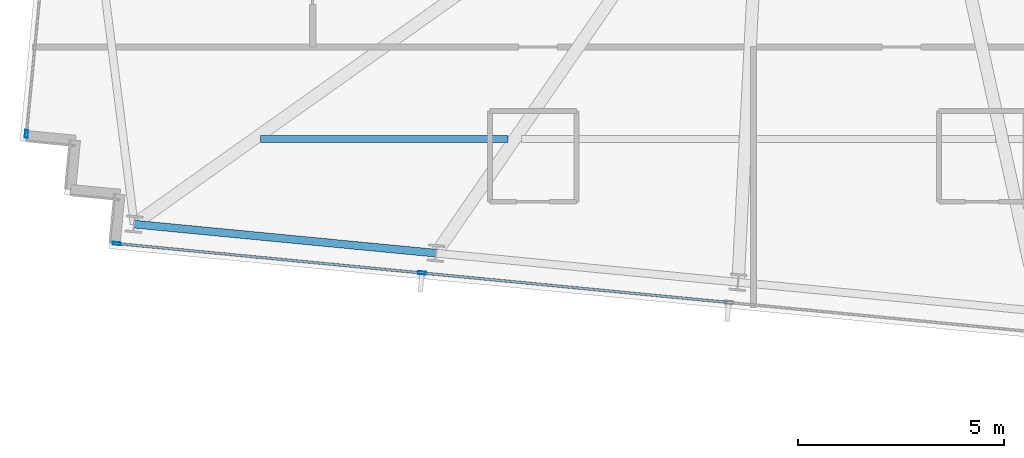
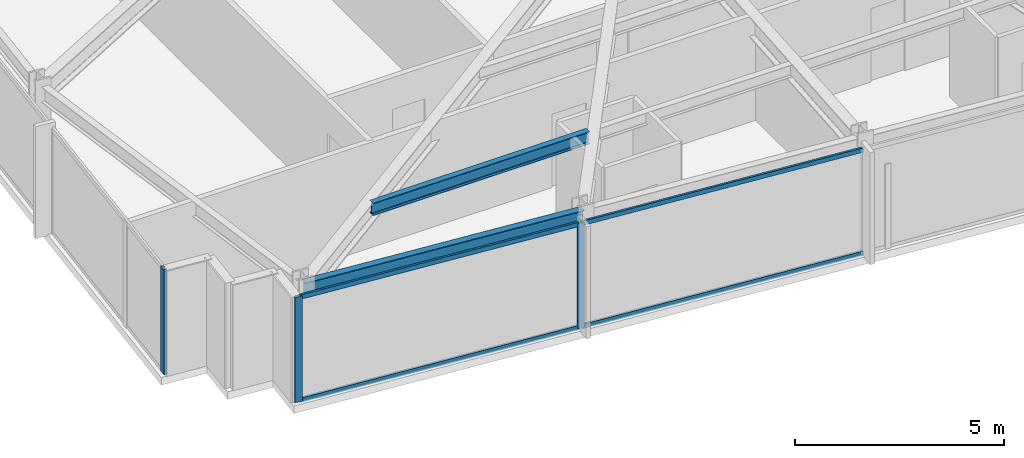
# One storey, part 2 of 36: 7 members, 2 beams, 2 elements without a shape of their own.
"""IFC4 building model written with IfcOpenShell, lengths in metres."""

from ifc_helpers import new_model, si_unit, direction, frame, origin, origin_2d, place, context, subcontext, project, spatial, hollow_rectangle, i_section, extrude, material, material_profile, profile_set, type_object, element, aggregate, save


model = new_model("IFC4")

# Units and contexts
model_context = context("Model", 3, precision=1e-05, world=origin(), true_north=direction((0.0, 1.0)))
body_context = subcontext(model_context, "Body", "Model", "MODEL_VIEW")
ifc_project = project(units=[si_unit("LENGTHUNIT", "METRE"), si_unit("AREAUNIT", "SQUARE_METRE"), si_unit("VOLUMEUNIT", "CUBIC_METRE"), si_unit("PLANEANGLEUNIT", "RADIAN"), si_unit("MASSUNIT", "GRAM", prefix="KILO")], contexts=[model_context])

# Site, building, storey
site_placement = place(None, origin())
site = spatial("IfcSite", under=ifc_project, at=site_placement, CompositionType="ELEMENT")
building_placement = place(site_placement, origin())
building = spatial("IfcBuilding", under=site, at=building_placement, Name="Yelkora Congress Tower", CompositionType="ELEMENT")
storey_placement = place(building_placement, frame((0.0, 0.0, 152.300048828125)))
storey = spatial("IfcBuildingStorey", under=building, at=storey_placement, Name="L41", CompositionType="ELEMENT", Elevation=152.300048828125)

# Beams
ifc_material_1 = material(Name="Steel S355J2", Category="steel")
ifc_material_profile_1 = material_profile(ifc_material_1, i_section(OverallWidth=0.169921875, OverallDepth=0.360107421875, WebThickness=0.008056640625, FlangeThickness=0.0126953125, FilletRadius=0.01806640625, at=origin_2d()), Name="IPE 360")
ifc_profile_set_1 = profile_set([ifc_material_profile_1], Name="Steel S355J2")
beam_type_1 = type_object("IfcBeamType", Name="BM-JOIST-IPE360", PredefinedType="JOIST", material=ifc_profile_set_1)
beam_1_placement = place(storey_placement, frame((6.98779296875, 16.421142578125, 2.89990234375), z_axis=(1.0, 0.0, 0.0), x_axis=(0.0, 1.0, 0.0)))
element("IfcBeam", 1, at=beam_1_placement, inside=storey, type_object=beam_type_1, Name="L41 Composite Floor Joist 5", PredefinedType="JOIST", context=body_context, shape_type="SweptSolid", body=[
    extrude(i_section(OverallWidth=0.169921875, OverallDepth=0.360107421875, WebThickness=0.008056640625, FlangeThickness=0.0126953125, FilletRadius=0.01806640625, at=origin_2d()), origin(), (0.0, 0.0, 1.0), 6.002685546875),
])
ifc_material_profile_2 = material_profile(ifc_material_1, i_section(OverallWidth=0.18994140625, OverallDepth=0.449951171875, WebThickness=0.009521484375, FlangeThickness=0.0146484375, FilletRadius=0.02099609375, at=origin_2d()), Name="IPE 450")
ifc_profile_set_2 = profile_set([ifc_material_profile_2], Name="Steel S355J2")
beam_type_2 = type_object("IfcBeamType", Name="BM-SPAN-IPE450", PredefinedType="SPANDREL", material=ifc_profile_set_2)
beam_2_placement = place(storey_placement, frame((3.919189453125, 14.357421875, 2.85498046875), z_axis=(0.995393938538, -0.095869218844, 0.0), x_axis=(0.095869218844, 0.995393938538, 0.0)))
element("IfcBeam", 2, at=beam_2_placement, inside=storey, type_object=beam_type_2, Name="L41 Perimeter Beam 2", PredefinedType="SPANDREL", context=body_context, shape_type="SweptSolid", body=[
    extrude(i_section(OverallWidth=0.18994140625, OverallDepth=0.449951171875, WebThickness=0.009521484375, FlangeThickness=0.0146484375, FilletRadius=0.02099609375, at=origin_2d()), origin(), (0.0, 0.0, 1.0), 7.357177734375),
])

# Curtain wall, member
ifc_material_2 = material(Name="Anodised aluminium and insulated glass", Category="aluminium")
curtain_wall_type = type_object("IfcCurtainWallType", Name="CW-SYS-B3", PredefinedType="NOTDEFINED", material=ifc_material_2)
curtain_wall_1_placement = place(storey_placement, origin())
curtain_wall_1 = element("IfcCurtainWall", 3, at=curtain_wall_1_placement, inside=storey, type_object=curtain_wall_type, Name="L41 Unitised Curtain Wall 5", PredefinedType="NOTDEFINED")
ifc_material_3 = material(Name="Anodised aluminium 6063-T6", Category="aluminium")
ifc_material_profile_3 = material_profile(ifc_material_3, hollow_rectangle(XDim=0.070068359375, YDim=0.18994140625, WallThickness=0.00390625, at=origin_2d()), Name="ALU 70x190x4")
ifc_profile_set_3 = profile_set([ifc_material_profile_3], Name="Anodised aluminium 6063-T6")
member_type_1 = type_object("IfcMemberType", Name="MEM-ML-B3", PredefinedType="MULLION", material=ifc_profile_set_3)
member_1_placement = place(storey_placement, frame((1.306640625, 16.542724609375, 0.0), z_axis=(0.0, 0.0, 1.0), x_axis=(-0.995396242473, 0.095845294465, 0.0)))
member_1 = element("IfcMember", 4, at=member_1_placement, type_object=member_type_1, Name="CW-B3 mullion 1", PredefinedType="MULLION", context=body_context, shape_type="SweptSolid", body=[
    extrude(hollow_rectangle(XDim=0.070068359375, YDim=0.18994140625, WallThickness=0.00390625, at=origin_2d()), origin(), (0.0, 0.0, 1.0), 3.079833984375),
])
aggregate(curtain_wall_1, [member_1])

# Curtain wall, members
curtain_wall_2_placement = place(storey_placement, origin())
curtain_wall_2 = element("IfcCurtainWall", 5, at=curtain_wall_2_placement, inside=storey, type_object=curtain_wall_type, Name="L41 Unitised Curtain Wall 20", PredefinedType="NOTDEFINED")
member_2_placement = place(storey_placement, frame((10.902099609375, 13.172607421875, 0.0), z_axis=(0.0, 0.0, 1.0), x_axis=(-0.095844680679, -0.995396301573, 0.0)))
member_2 = element("IfcMember", 6, at=member_2_placement, type_object=member_type_1, Name="CW-B3 mullion 7", PredefinedType="MULLION", context=body_context, shape_type="SweptSolid", body=[
    extrude(hollow_rectangle(XDim=0.070068359375, YDim=0.18994140625, WallThickness=0.00390625, at=origin_2d()), origin(), (0.0, 0.0, 1.0), 3.079833984375),
])
member_3_placement = place(storey_placement, frame((3.4970703125, 13.885498046875, 0.0), z_axis=(0.0, 0.0, 1.0), x_axis=(-0.095844680679, -0.995396301573, 0.0)))
member_3 = element("IfcMember", 7, at=member_3_placement, type_object=member_type_1, Name="CW-B3 mullion 8", PredefinedType="MULLION", context=body_context, shape_type="SweptSolid", body=[
    extrude(hollow_rectangle(XDim=0.070068359375, YDim=0.18994140625, WallThickness=0.00390625, at=origin_2d()), origin(), (0.0, 0.0, 1.0), 3.079833984375),
])
ifc_material_profile_4 = material_profile(ifc_material_3, hollow_rectangle(XDim=0.06005859375, YDim=0.1298828125, WallThickness=0.00390625, at=origin_2d()), Name="ALU 60x130x4")
ifc_profile_set_4 = profile_set([ifc_material_profile_4], Name="Anodised aluminium 6063-T6")
member_type_2 = type_object("IfcMemberType", Name="MEM-TR-B3", PredefinedType="USERDEFINED", material=ifc_profile_set_4)
member_4_placement = place(storey_placement, frame((18.30712890625, 12.45947265625, 0.030029296875), z_axis=(-0.99539548672, 0.095853142967, 0.0), x_axis=(-0.095853142967, -0.99539548672, 0.0)))
member_4 = element("IfcMember", 8, at=member_4_placement, type_object=member_type_2, Name="CW-B3 transom 6.1", ObjectType="TRANSOM", PredefinedType="USERDEFINED", context=body_context, shape_type="SweptSolid", body=[
    extrude(hollow_rectangle(XDim=0.06005859375, YDim=0.1298828125, WallThickness=0.00390625, at=origin_2d()), origin(), (0.0, 0.0, 1.0), 7.404296875),
])
member_5_placement = place(storey_placement, frame((18.30712890625, 12.45947265625, 3.050048828125), z_axis=(-0.99539548672, 0.095853142967, 0.0), x_axis=(-0.095853142967, -0.99539548672, 0.0)))
member_5 = element("IfcMember", 9, at=member_5_placement, type_object=member_type_2, Name="CW-B3 transom 6.2", ObjectType="TRANSOM", PredefinedType="USERDEFINED", context=body_context, shape_type="SweptSolid", body=[
    extrude(hollow_rectangle(XDim=0.06005859375, YDim=0.1298828125, WallThickness=0.00390625, at=origin_2d()), origin(), (0.0, 0.0, 1.0), 7.404296875),
])
member_6_placement = place(storey_placement, frame((10.8671875, 13.17578125, 0.030029296875), z_axis=(-0.995396212442, 0.095845606344, 0.0), x_axis=(-0.095845606344, -0.995396212442, 0.0)))
member_6 = element("IfcMember", 10, at=member_6_placement, type_object=member_type_2, Name="CW-B3 transom 7.1", ObjectType="TRANSOM", PredefinedType="USERDEFINED", context=body_context, shape_type="SweptSolid", body=[
    extrude(hollow_rectangle(XDim=0.06005859375, YDim=0.1298828125, WallThickness=0.00390625, at=origin_2d()), origin(), (0.0, 0.0, 1.0), 7.369140625),
])
member_7_placement = place(storey_placement, frame((10.8671875, 13.17578125, 3.050048828125), z_axis=(-0.995396212442, 0.095845606344, 0.0), x_axis=(-0.095845606344, -0.995396212442, 0.0)))
member_7 = element("IfcMember", 11, at=member_7_placement, type_object=member_type_2, Name="CW-B3 transom 7.2", ObjectType="TRANSOM", PredefinedType="USERDEFINED", context=body_context, shape_type="SweptSolid", body=[
    extrude(hollow_rectangle(XDim=0.06005859375, YDim=0.1298828125, WallThickness=0.00390625, at=origin_2d()), origin(), (0.0, 0.0, 1.0), 7.369140625),
])
aggregate(curtain_wall_2, [member_2, member_3, member_4, member_5, member_6, member_7])

save(model, "model.ifc")
